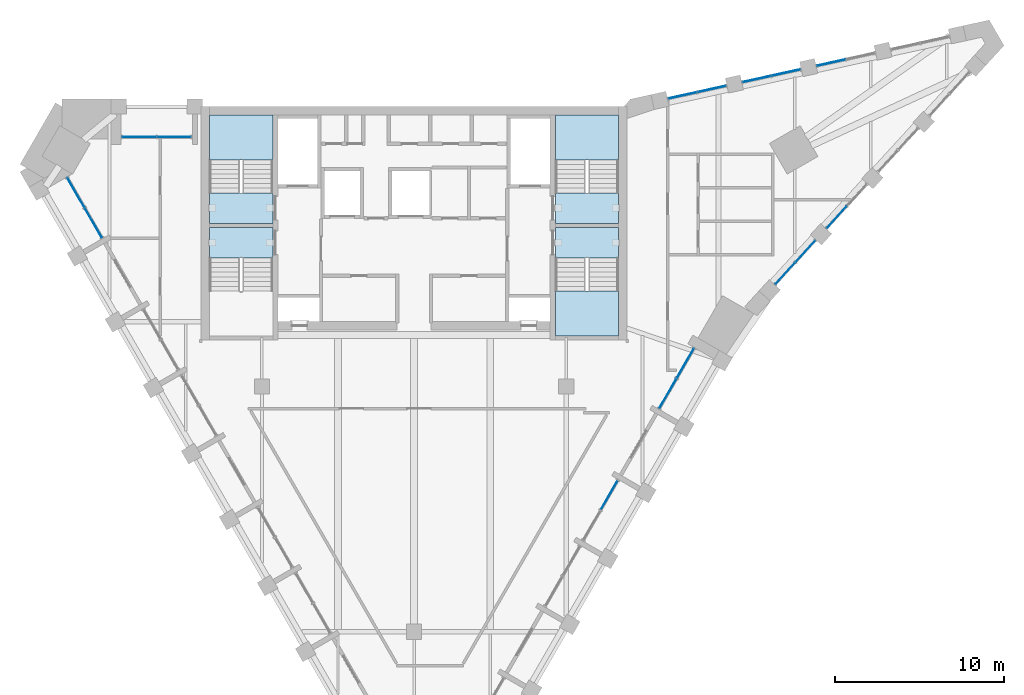
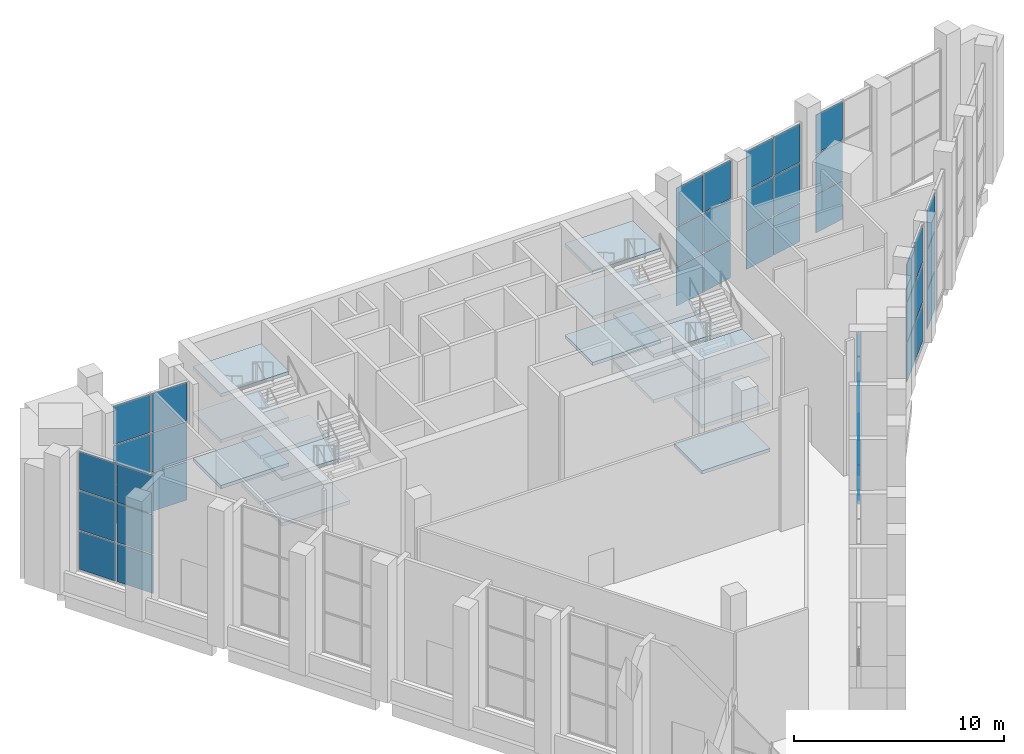
# One storey, part 9 of 16: 43 plates, 17 slabs, 13 elements without a shape of their own.
"""IFC4 building model written with IfcOpenShell, lengths in metres."""

from ifc_helpers import new_model, si_unit, direction, frame, origin, origin_2d, place, context, subcontext, project, spatial, polyline, rectangle, outline, extrude, material, layer, layer_set, type_object, element, aggregate, save


model = new_model("IFC4")

# Units and contexts
model_context = context("Model", 3, precision=1e-05, world=origin(), true_north=direction((0.0, 1.0)))
body_context = subcontext(model_context, "Body", "Model", "MODEL_VIEW")
ifc_project = project(units=[si_unit("LENGTHUNIT", "METRE"), si_unit("AREAUNIT", "SQUARE_METRE"), si_unit("VOLUMEUNIT", "CUBIC_METRE"), si_unit("PLANEANGLEUNIT", "RADIAN"), si_unit("MASSUNIT", "GRAM", prefix="KILO")], contexts=[model_context])

# Site, building, storey
site_placement = place(None, origin())
site = spatial("IfcSite", under=ifc_project, at=site_placement, CompositionType="ELEMENT")
building_placement = place(site_placement, origin())
building = spatial("IfcBuilding", under=site, at=building_placement, Name="Calabash Gate Tower", CompositionType="ELEMENT")
storey_placement = place(building_placement, frame((0.0, 0.0, 302.5)))
storey = spatial("IfcBuildingStorey", under=building, at=storey_placement, Name="L72", CompositionType="ELEMENT", Elevation=302.5)

# Curtain wall, plates
ifc_material_1 = material(Name="Anodised aluminium frame, bronze finish, clear laminated impact-rated glazing", Category="aluminium")
curtain_wall_type_1 = type_object("IfcCurtainWallType", Name="Curtain wall CWO observation deck wall", PredefinedType="NOTDEFINED", material=ifc_material_1)
curtain_wall_1_placement = place(storey_placement, origin())
curtain_wall_1 = element("IfcCurtainWall", 1, at=curtain_wall_1_placement, inside=storey, type_object=curtain_wall_type_1, Name="Curtain wall CWO L72 SW0.1", PredefinedType="NOTDEFINED")
ifc_material_2 = material(Name="Clear laminated impact-rated glazing", Category="glass")
ifc_layer_1 = layer(ifc_material_2, 0.0439453125)
ifc_layer_set_1 = layer_set([ifc_layer_1], Name="Glass panel CWO 44")
plate_type_1 = type_object("IfcPlateType", Name="Glass panel CWO 44", PredefinedType="CURTAIN_PANEL", material=ifc_layer_set_1)
plate_1_placement = place(storey_placement, frame((-19.99365234375, 13.964599609375, 0.07470703125), z_axis=(0.0, 0.0, 1.0), x_axis=(0.499999968652, -0.866025421884, 0.0)))
plate_1 = element("IfcPlate", 2, at=plate_1_placement, type_object=plate_type_1, Name="CWO panel 1.1", PredefinedType="CURTAIN_PANEL", context=body_context, shape_type="SweptSolid", body=[
    extrude(rectangle(XDim=1.987548828125, YDim=0.0439453125, at=origin_2d()), origin(), (0.0, 0.0, 1.0), 2.220947265625),
])
plate_2_placement = place(storey_placement, frame((-19.99365234375, 13.964599609375, 2.370849609375), z_axis=(0.0, 0.0, 1.0), x_axis=(0.499999968652, -0.866025421884, 0.0)))
plate_2 = element("IfcPlate", 3, at=plate_2_placement, type_object=plate_type_1, Name="CWO panel 1.2", PredefinedType="CURTAIN_PANEL", context=body_context, shape_type="SweptSolid", body=[
    extrude(rectangle(XDim=1.987548828125, YDim=0.0439453125, at=origin_2d()), origin(), (0.0, 0.0, 1.0), 2.25830078125),
])
plate_3_placement = place(storey_placement, frame((-19.99365234375, 13.964599609375, 4.7041015625), z_axis=(0.0, 0.0, 1.0), x_axis=(0.499999968652, -0.866025421884, 0.0)))
plate_3 = element("IfcPlate", 4, at=plate_3_placement, type_object=plate_type_1, Name="CWO panel 1.3", PredefinedType="CURTAIN_PANEL", context=body_context, shape_type="SweptSolid", body=[
    extrude(rectangle(XDim=1.987548828125, YDim=0.0439453125, at=origin_2d()), origin(), (0.0, 0.0, 1.0), 2.220947265625),
])
plate_4_placement = place(storey_placement, frame((-18.96240234375, 12.178466796875, 0.07470703125), z_axis=(0.0, 0.0, 1.0), x_axis=(0.499999968652, -0.866025421884, 0.0)))
plate_4 = element("IfcPlate", 5, at=plate_4_placement, type_object=plate_type_1, Name="CWO panel 2.1", PredefinedType="CURTAIN_PANEL", context=body_context, shape_type="SweptSolid", body=[
    extrude(rectangle(XDim=1.987548828125, YDim=0.0439453125, at=origin_2d()), origin(), (0.0, 0.0, 1.0), 2.220947265625),
])
plate_5_placement = place(storey_placement, frame((-18.96240234375, 12.178466796875, 2.370849609375), z_axis=(0.0, 0.0, 1.0), x_axis=(0.499999968652, -0.866025421884, 0.0)))
plate_5 = element("IfcPlate", 6, at=plate_5_placement, type_object=plate_type_1, Name="CWO panel 2.2", PredefinedType="CURTAIN_PANEL", context=body_context, shape_type="SweptSolid", body=[
    extrude(rectangle(XDim=1.987548828125, YDim=0.0439453125, at=origin_2d()), origin(), (0.0, 0.0, 1.0), 2.25830078125),
])
plate_6_placement = place(storey_placement, frame((-18.96240234375, 12.178466796875, 4.7041015625), z_axis=(0.0, 0.0, 1.0), x_axis=(0.499999968652, -0.866025421884, 0.0)))
plate_6 = element("IfcPlate", 7, at=plate_6_placement, type_object=plate_type_1, Name="CWO panel 2.3", PredefinedType="CURTAIN_PANEL", context=body_context, shape_type="SweptSolid", body=[
    extrude(rectangle(XDim=1.987548828125, YDim=0.0439453125, at=origin_2d()), origin(), (0.0, 0.0, 1.0), 2.220947265625),
])
aggregate(curtain_wall_1, [plate_1, plate_2, plate_3, plate_4, plate_5, plate_6])

# Curtain wall, plate
curtain_wall_2_placement = place(storey_placement, origin())
curtain_wall_2 = element("IfcCurtainWall", 8, at=curtain_wall_2_placement, inside=storey, type_object=curtain_wall_type_1, Name="Curtain wall CWO L72 SE2.4", PredefinedType="NOTDEFINED")
plate_7_placement = place(storey_placement, frame((11.539794921875, -3.920166015625, 4.7041015625), z_axis=(0.0, 0.0, 1.0), x_axis=(0.500000071751, 0.866025362359, 0.0)))
plate_7 = element("IfcPlate", 9, at=plate_7_placement, type_object=plate_type_1, Name="CWO panel 2.3", PredefinedType="CURTAIN_PANEL", context=body_context, shape_type="SweptSolid", body=[
    extrude(rectangle(XDim=1.987548828125, YDim=0.0439453125, at=origin_2d()), origin(), (0.0, 0.0, 1.0), 2.220947265625),
])
aggregate(curtain_wall_2, [plate_7])

# Curtain wall, plates
curtain_wall_3_placement = place(storey_placement, origin())
curtain_wall_3 = element("IfcCurtainWall", 10, at=curtain_wall_3_placement, inside=storey, type_object=curtain_wall_type_1, Name="Curtain wall CWO L72 SE2.6", PredefinedType="NOTDEFINED")
plate_8_placement = place(storey_placement, frame((15.008544921875, 2.087890625, 0.07470703125), z_axis=(0.0, 0.0, 1.0), x_axis=(0.499999968652, 0.866025421884, 0.0)))
plate_8 = element("IfcPlate", 11, at=plate_8_placement, type_object=plate_type_1, Name="CWO panel 1.1", PredefinedType="CURTAIN_PANEL", context=body_context, shape_type="SweptSolid", body=[
    extrude(rectangle(XDim=1.987548828125, YDim=0.0439453125, at=origin_2d()), origin(), (0.0, 0.0, 1.0), 2.220947265625),
])
plate_9_placement = place(storey_placement, frame((15.008544921875, 2.087890625, 2.370849609375), z_axis=(0.0, 0.0, 1.0), x_axis=(0.499999968652, 0.866025421884, 0.0)))
plate_9 = element("IfcPlate", 12, at=plate_9_placement, type_object=plate_type_1, Name="CWO panel 1.2", PredefinedType="CURTAIN_PANEL", context=body_context, shape_type="SweptSolid", body=[
    extrude(rectangle(XDim=1.987548828125, YDim=0.0439453125, at=origin_2d()), origin(), (0.0, 0.0, 1.0), 2.25830078125),
])
plate_10_placement = place(storey_placement, frame((15.008544921875, 2.087890625, 4.7041015625), z_axis=(0.0, 0.0, 1.0), x_axis=(0.499999968652, 0.866025421884, 0.0)))
plate_10 = element("IfcPlate", 13, at=plate_10_placement, type_object=plate_type_1, Name="CWO panel 1.3", PredefinedType="CURTAIN_PANEL", context=body_context, shape_type="SweptSolid", body=[
    extrude(rectangle(XDim=1.987548828125, YDim=0.0439453125, at=origin_2d()), origin(), (0.0, 0.0, 1.0), 2.220947265625),
])
plate_11_placement = place(storey_placement, frame((16.039794921875, 3.8740234375, 0.07470703125), z_axis=(0.0, 0.0, 1.0), x_axis=(0.499999968652, 0.866025421884, 0.0)))
plate_11 = element("IfcPlate", 14, at=plate_11_placement, type_object=plate_type_1, Name="CWO panel 2.1", PredefinedType="CURTAIN_PANEL", context=body_context, shape_type="SweptSolid", body=[
    extrude(rectangle(XDim=1.987548828125, YDim=0.0439453125, at=origin_2d()), origin(), (0.0, 0.0, 1.0), 2.220947265625),
])
plate_12_placement = place(storey_placement, frame((16.039794921875, 3.8740234375, 2.370849609375), z_axis=(0.0, 0.0, 1.0), x_axis=(0.499999968652, 0.866025421884, 0.0)))
plate_12 = element("IfcPlate", 15, at=plate_12_placement, type_object=plate_type_1, Name="CWO panel 2.2", PredefinedType="CURTAIN_PANEL", context=body_context, shape_type="SweptSolid", body=[
    extrude(rectangle(XDim=1.987548828125, YDim=0.0439453125, at=origin_2d()), origin(), (0.0, 0.0, 1.0), 2.25830078125),
])
plate_13_placement = place(storey_placement, frame((16.039794921875, 3.8740234375, 4.7041015625), z_axis=(0.0, 0.0, 1.0), x_axis=(0.499999968652, 0.866025421884, 0.0)))
plate_13 = element("IfcPlate", 16, at=plate_13_placement, type_object=plate_type_1, Name="CWO panel 2.3", PredefinedType="CURTAIN_PANEL", context=body_context, shape_type="SweptSolid", body=[
    extrude(rectangle(XDim=1.987548828125, YDim=0.0439453125, at=origin_2d()), origin(), (0.0, 0.0, 1.0), 2.220947265625),
])
aggregate(curtain_wall_3, [plate_8, plate_9, plate_10, plate_11, plate_12, plate_13])

curtain_wall_4_placement = place(storey_placement, origin())
curtain_wall_4 = element("IfcCurtainWall", 17, at=curtain_wall_4_placement, inside=storey, type_object=curtain_wall_type_1, Name="Curtain wall CWO L72 N6.6", PredefinedType="NOTDEFINED")
plate_14_placement = place(storey_placement, frame((-14.184326171875, 17.25244140625, 0.07470703125), z_axis=(0.0, 0.0, 1.0), x_axis=(-1.0, 0.0, 0.0)))
plate_14 = element("IfcPlate", 18, at=plate_14_placement, type_object=plate_type_1, Name="CWO panel 1.1", PredefinedType="CURTAIN_PANEL", context=body_context, shape_type="SweptSolid", body=[
    extrude(rectangle(XDim=1.987548828125, YDim=0.0439453125, at=origin_2d()), origin(), (0.0, 0.0, 1.0), 2.220947265625),
])
plate_15_placement = place(storey_placement, frame((-14.184326171875, 17.25244140625, 2.370849609375), z_axis=(0.0, 0.0, 1.0), x_axis=(-1.0, 0.0, 0.0)))
plate_15 = element("IfcPlate", 19, at=plate_15_placement, type_object=plate_type_1, Name="CWO panel 1.2", PredefinedType="CURTAIN_PANEL", context=body_context, shape_type="SweptSolid", body=[
    extrude(rectangle(XDim=1.987548828125, YDim=0.0439453125, at=origin_2d()), origin(), (0.0, 0.0, 1.0), 2.25830078125),
])
plate_16_placement = place(storey_placement, frame((-14.184326171875, 17.25244140625, 4.7041015625), z_axis=(0.0, 0.0, 1.0), x_axis=(-1.0, 0.0, 0.0)))
plate_16 = element("IfcPlate", 20, at=plate_16_placement, type_object=plate_type_1, Name="CWO panel 1.3", PredefinedType="CURTAIN_PANEL", context=body_context, shape_type="SweptSolid", body=[
    extrude(rectangle(XDim=1.987548828125, YDim=0.0439453125, at=origin_2d()), origin(), (0.0, 0.0, 1.0), 2.220947265625),
])
plate_17_placement = place(storey_placement, frame((-16.246826171875, 17.25244140625, 0.07470703125), z_axis=(0.0, 0.0, 1.0), x_axis=(-1.0, 0.0, 0.0)))
plate_17 = element("IfcPlate", 21, at=plate_17_placement, type_object=plate_type_1, Name="CWO panel 2.1", PredefinedType="CURTAIN_PANEL", context=body_context, shape_type="SweptSolid", body=[
    extrude(rectangle(XDim=1.987548828125, YDim=0.0439453125, at=origin_2d()), origin(), (0.0, 0.0, 1.0), 2.220947265625),
])
plate_18_placement = place(storey_placement, frame((-16.246826171875, 17.25244140625, 2.370849609375), z_axis=(0.0, 0.0, 1.0), x_axis=(-1.0, 0.0, 0.0)))
plate_18 = element("IfcPlate", 22, at=plate_18_placement, type_object=plate_type_1, Name="CWO panel 2.2", PredefinedType="CURTAIN_PANEL", context=body_context, shape_type="SweptSolid", body=[
    extrude(rectangle(XDim=1.987548828125, YDim=0.0439453125, at=origin_2d()), origin(), (0.0, 0.0, 1.0), 2.25830078125),
])
plate_19_placement = place(storey_placement, frame((-16.246826171875, 17.25244140625, 4.7041015625), z_axis=(0.0, 0.0, 1.0), x_axis=(-1.0, 0.0, 0.0)))
plate_19 = element("IfcPlate", 23, at=plate_19_placement, type_object=plate_type_1, Name="CWO panel 2.3", PredefinedType="CURTAIN_PANEL", context=body_context, shape_type="SweptSolid", body=[
    extrude(rectangle(XDim=1.987548828125, YDim=0.0439453125, at=origin_2d()), origin(), (0.0, 0.0, 1.0), 2.220947265625),
])
aggregate(curtain_wall_4, [plate_14, plate_15, plate_16, plate_17, plate_18, plate_19])

ifc_material_3 = material(Name="Anodised aluminium frame, bronze finish, clear laminated impact-rated glazing", Category="aluminium")
curtain_wall_type_2 = type_object("IfcCurtainWallType", Name="Curtain wall CWW wedge prow wall", PredefinedType="NOTDEFINED", material=ifc_material_3)
curtain_wall_5_placement = place(storey_placement, origin())
curtain_wall_5 = element("IfcCurtainWall", 24, at=curtain_wall_5_placement, inside=storey, type_object=curtain_wall_type_2, Name="Curtain wall CWW L72 wedge3.1", PredefinedType="NOTDEFINED")
ifc_material_4 = material(Name="Clear laminated impact-rated glazing", Category="glass")
ifc_layer_2 = layer(ifc_material_4, 0.0400390625)
ifc_layer_set_2 = layer_set([ifc_layer_2], Name="Glass panel CWW 40")
plate_type_2 = type_object("IfcPlateType", Name="Glass panel CWW 40", PredefinedType="CURTAIN_PANEL", material=ifc_layer_set_2)
plate_20_placement = place(storey_placement, frame((21.953369140625, 9.19384765625, 0.06982421875), z_axis=(0.0, 0.0, 1.0), x_axis=(0.674855908125, 0.737949526234, 0.0)))
plate_20 = element("IfcPlate", 25, at=plate_20_placement, type_object=plate_type_2, Name="CWW panel 1.1", PredefinedType="CURTAIN_PANEL", context=body_context, shape_type="SweptSolid", body=[
    extrude(rectangle(XDim=1.695068359375, YDim=0.0400390625, at=origin_2d()), origin(), (0.0, 0.0, 1.0), 2.228271484375),
])
plate_21_placement = place(storey_placement, frame((21.953369140625, 9.19384765625, 2.3681640625), z_axis=(0.0, 0.0, 1.0), x_axis=(0.674855908125, 0.737949526234, 0.0)))
plate_21 = element("IfcPlate", 26, at=plate_21_placement, type_object=plate_type_2, Name="CWW panel 1.2", PredefinedType="CURTAIN_PANEL", context=body_context, shape_type="SweptSolid", body=[
    extrude(rectangle(XDim=1.695068359375, YDim=0.0400390625, at=origin_2d()), origin(), (0.0, 0.0, 1.0), 2.263427734375),
])
plate_22_placement = place(storey_placement, frame((21.953369140625, 9.19384765625, 4.70166015625), z_axis=(0.0, 0.0, 1.0), x_axis=(0.674855908125, 0.737949526234, 0.0)))
plate_22 = element("IfcPlate", 27, at=plate_22_placement, type_object=plate_type_2, Name="CWW panel 1.3", PredefinedType="CURTAIN_PANEL", context=body_context, shape_type="SweptSolid", body=[
    extrude(rectangle(XDim=1.695068359375, YDim=0.0400390625, at=origin_2d()), origin(), (0.0, 0.0, 1.0), 2.228271484375),
])
plate_23_placement = place(storey_placement, frame((23.14453125, 10.496337890625, 0.06982421875), z_axis=(0.0, 0.0, 1.0), x_axis=(0.674855908125, 0.737949526234, 0.0)))
plate_23 = element("IfcPlate", 28, at=plate_23_placement, type_object=plate_type_2, Name="CWW panel 2.1", PredefinedType="CURTAIN_PANEL", context=body_context, shape_type="SweptSolid", body=[
    extrude(rectangle(XDim=1.695068359375, YDim=0.0400390625, at=origin_2d()), origin(), (0.0, 0.0, 1.0), 2.228271484375),
])
plate_24_placement = place(storey_placement, frame((23.14453125, 10.496337890625, 2.3681640625), z_axis=(0.0, 0.0, 1.0), x_axis=(0.674855908125, 0.737949526234, 0.0)))
plate_24 = element("IfcPlate", 29, at=plate_24_placement, type_object=plate_type_2, Name="CWW panel 2.2", PredefinedType="CURTAIN_PANEL", context=body_context, shape_type="SweptSolid", body=[
    extrude(rectangle(XDim=1.695068359375, YDim=0.0400390625, at=origin_2d()), origin(), (0.0, 0.0, 1.0), 2.263427734375),
])
plate_25_placement = place(storey_placement, frame((23.14453125, 10.496337890625, 4.70166015625), z_axis=(0.0, 0.0, 1.0), x_axis=(0.674855908125, 0.737949526234, 0.0)))
plate_25 = element("IfcPlate", 30, at=plate_25_placement, type_object=plate_type_2, Name="CWW panel 2.3", PredefinedType="CURTAIN_PANEL", context=body_context, shape_type="SweptSolid", body=[
    extrude(rectangle(XDim=1.695068359375, YDim=0.0400390625, at=origin_2d()), origin(), (0.0, 0.0, 1.0), 2.228271484375),
])
aggregate(curtain_wall_5, [plate_20, plate_21, plate_22, plate_23, plate_24, plate_25])

curtain_wall_6_placement = place(storey_placement, origin())
curtain_wall_6 = element("IfcCurtainWall", 31, at=curtain_wall_6_placement, inside=storey, type_object=curtain_wall_type_2, Name="Curtain wall CWW L72 wedge3.2", PredefinedType="NOTDEFINED")
plate_26_placement = place(storey_placement, frame((24.990234375, 12.5146484375, 0.06982421875), z_axis=(0.0, 0.0, 1.0), x_axis=(0.674856059397, 0.737949387896, 0.0)))
plate_26 = element("IfcPlate", 32, at=plate_26_placement, type_object=plate_type_2, Name="CWW panel 1.1", PredefinedType="CURTAIN_PANEL", context=body_context, shape_type="SweptSolid", body=[
    extrude(rectangle(XDim=1.695068359375, YDim=0.0400390625, at=origin_2d()), origin(), (0.0, 0.0, 1.0), 2.228271484375),
])
plate_27_placement = place(storey_placement, frame((24.990234375, 12.5146484375, 2.3681640625), z_axis=(0.0, 0.0, 1.0), x_axis=(0.674856059397, 0.737949387896, 0.0)))
plate_27 = element("IfcPlate", 33, at=plate_27_placement, type_object=plate_type_2, Name="CWW panel 1.2", PredefinedType="CURTAIN_PANEL", context=body_context, shape_type="SweptSolid", body=[
    extrude(rectangle(XDim=1.695068359375, YDim=0.0400390625, at=origin_2d()), origin(), (0.0, 0.0, 1.0), 2.263427734375),
])
plate_28_placement = place(storey_placement, frame((24.990234375, 12.5146484375, 4.70166015625), z_axis=(0.0, 0.0, 1.0), x_axis=(0.674856059397, 0.737949387896, 0.0)))
plate_28 = element("IfcPlate", 34, at=plate_28_placement, type_object=plate_type_2, Name="CWW panel 1.3", PredefinedType="CURTAIN_PANEL", context=body_context, shape_type="SweptSolid", body=[
    extrude(rectangle(XDim=1.695068359375, YDim=0.0400390625, at=origin_2d()), origin(), (0.0, 0.0, 1.0), 2.228271484375),
])
aggregate(curtain_wall_6, [plate_26, plate_27, plate_28])

curtain_wall_7_placement = place(storey_placement, origin())
curtain_wall_7 = element("IfcCurtainWall", 35, at=curtain_wall_7_placement, inside=storey, type_object=curtain_wall_type_2, Name="Curtain wall CWW L72 wedge5.2", PredefinedType="NOTDEFINED")
plate_29_placement = place(storey_placement, frame((24.668212890625, 21.6533203125, 0.06982421875), z_axis=(0.0, 0.0, 1.0), x_axis=(-0.976510958101, -0.215467744008, 0.0)))
plate_29 = element("IfcPlate", 36, at=plate_29_placement, type_object=plate_type_2, Name="CWW panel 2.1", PredefinedType="CURTAIN_PANEL", context=body_context, shape_type="SweptSolid", body=[
    extrude(rectangle(XDim=1.695068359375, YDim=0.0400390625, at=origin_2d()), origin(), (0.0, 0.0, 1.0), 2.228271484375),
])
plate_30_placement = place(storey_placement, frame((24.668212890625, 21.6533203125, 2.3681640625), z_axis=(0.0, 0.0, 1.0), x_axis=(-0.976510958101, -0.215467744008, 0.0)))
plate_30 = element("IfcPlate", 37, at=plate_30_placement, type_object=plate_type_2, Name="CWW panel 2.2", PredefinedType="CURTAIN_PANEL", context=body_context, shape_type="SweptSolid", body=[
    extrude(rectangle(XDim=1.695068359375, YDim=0.0400390625, at=origin_2d()), origin(), (0.0, 0.0, 1.0), 2.263427734375),
])
plate_31_placement = place(storey_placement, frame((24.668212890625, 21.6533203125, 4.70166015625), z_axis=(0.0, 0.0, 1.0), x_axis=(-0.976510958101, -0.215467744008, 0.0)))
plate_31 = element("IfcPlate", 38, at=plate_31_placement, type_object=plate_type_2, Name="CWW panel 2.3", PredefinedType="CURTAIN_PANEL", context=body_context, shape_type="SweptSolid", body=[
    extrude(rectangle(XDim=1.695068359375, YDim=0.0400390625, at=origin_2d()), origin(), (0.0, 0.0, 1.0), 2.228271484375),
])
aggregate(curtain_wall_7, [plate_29, plate_30, plate_31])

curtain_wall_8_placement = place(storey_placement, origin())
curtain_wall_8 = element("IfcCurtainWall", 39, at=curtain_wall_8_placement, inside=storey, type_object=curtain_wall_type_2, Name="Curtain wall CWW L72 wedge5.3", PredefinedType="NOTDEFINED")
plate_32_placement = place(storey_placement, frame((21.997314453125, 21.06396484375, 0.06982421875), z_axis=(0.0, 0.0, 1.0), x_axis=(-0.976510945203, -0.215467802466, 0.0)))
plate_32 = element("IfcPlate", 40, at=plate_32_placement, type_object=plate_type_2, Name="CWW panel 1.1", PredefinedType="CURTAIN_PANEL", context=body_context, shape_type="SweptSolid", body=[
    extrude(rectangle(XDim=1.695068359375, YDim=0.0400390625, at=origin_2d()), origin(), (0.0, 0.0, 1.0), 2.228271484375),
])
plate_33_placement = place(storey_placement, frame((21.997314453125, 21.06396484375, 2.3681640625), z_axis=(0.0, 0.0, 1.0), x_axis=(-0.976510945203, -0.215467802466, 0.0)))
plate_33 = element("IfcPlate", 41, at=plate_33_placement, type_object=plate_type_2, Name="CWW panel 1.2", PredefinedType="CURTAIN_PANEL", context=body_context, shape_type="SweptSolid", body=[
    extrude(rectangle(XDim=1.695068359375, YDim=0.0400390625, at=origin_2d()), origin(), (0.0, 0.0, 1.0), 2.263427734375),
])
plate_34_placement = place(storey_placement, frame((21.997314453125, 21.06396484375, 4.70166015625), z_axis=(0.0, 0.0, 1.0), x_axis=(-0.976510945203, -0.215467802466, 0.0)))
plate_34 = element("IfcPlate", 42, at=plate_34_placement, type_object=plate_type_2, Name="CWW panel 1.3", PredefinedType="CURTAIN_PANEL", context=body_context, shape_type="SweptSolid", body=[
    extrude(rectangle(XDim=1.695068359375, YDim=0.0400390625, at=origin_2d()), origin(), (0.0, 0.0, 1.0), 2.228271484375),
])
plate_35_placement = place(storey_placement, frame((20.27392578125, 20.68359375, 0.06982421875), z_axis=(0.0, 0.0, 1.0), x_axis=(-0.976510945203, -0.215467802466, 0.0)))
plate_35 = element("IfcPlate", 43, at=plate_35_placement, type_object=plate_type_2, Name="CWW panel 2.1", PredefinedType="CURTAIN_PANEL", context=body_context, shape_type="SweptSolid", body=[
    extrude(rectangle(XDim=1.695068359375, YDim=0.0400390625, at=origin_2d()), origin(), (0.0, 0.0, 1.0), 2.228271484375),
])
plate_36_placement = place(storey_placement, frame((20.27392578125, 20.68359375, 2.3681640625), z_axis=(0.0, 0.0, 1.0), x_axis=(-0.976510945203, -0.215467802466, 0.0)))
plate_36 = element("IfcPlate", 44, at=plate_36_placement, type_object=plate_type_2, Name="CWW panel 2.2", PredefinedType="CURTAIN_PANEL", context=body_context, shape_type="SweptSolid", body=[
    extrude(rectangle(XDim=1.695068359375, YDim=0.0400390625, at=origin_2d()), origin(), (0.0, 0.0, 1.0), 2.263427734375),
])
plate_37_placement = place(storey_placement, frame((20.27392578125, 20.68359375, 4.70166015625), z_axis=(0.0, 0.0, 1.0), x_axis=(-0.976510945203, -0.215467802466, 0.0)))
plate_37 = element("IfcPlate", 45, at=plate_37_placement, type_object=plate_type_2, Name="CWW panel 2.3", PredefinedType="CURTAIN_PANEL", context=body_context, shape_type="SweptSolid", body=[
    extrude(rectangle(XDim=1.695068359375, YDim=0.0400390625, at=origin_2d()), origin(), (0.0, 0.0, 1.0), 2.228271484375),
])
aggregate(curtain_wall_8, [plate_32, plate_33, plate_34, plate_35, plate_36, plate_37])

curtain_wall_9_placement = place(storey_placement, origin())
curtain_wall_9 = element("IfcCurtainWall", 46, at=curtain_wall_9_placement, inside=storey, type_object=curtain_wall_type_2, Name="Curtain wall CWW L72 wedge5.4", PredefinedType="NOTDEFINED")
plate_38_placement = place(storey_placement, frame((17.60302734375, 20.094482421875, 0.06982421875), z_axis=(0.0, 0.0, 1.0), x_axis=(-0.976510945203, -0.215467802466, 0.0)))
plate_38 = element("IfcPlate", 47, at=plate_38_placement, type_object=plate_type_2, Name="CWW panel 1.1", PredefinedType="CURTAIN_PANEL", context=body_context, shape_type="SweptSolid", body=[
    extrude(rectangle(XDim=1.695068359375, YDim=0.0400390625, at=origin_2d()), origin(), (0.0, 0.0, 1.0), 2.228271484375),
])
plate_39_placement = place(storey_placement, frame((17.60302734375, 20.094482421875, 2.3681640625), z_axis=(0.0, 0.0, 1.0), x_axis=(-0.976510945203, -0.215467802466, 0.0)))
plate_39 = element("IfcPlate", 48, at=plate_39_placement, type_object=plate_type_2, Name="CWW panel 1.2", PredefinedType="CURTAIN_PANEL", context=body_context, shape_type="SweptSolid", body=[
    extrude(rectangle(XDim=1.695068359375, YDim=0.0400390625, at=origin_2d()), origin(), (0.0, 0.0, 1.0), 2.263427734375),
])
plate_40_placement = place(storey_placement, frame((17.60302734375, 20.094482421875, 4.70166015625), z_axis=(0.0, 0.0, 1.0), x_axis=(-0.976510945203, -0.215467802466, 0.0)))
plate_40 = element("IfcPlate", 49, at=plate_40_placement, type_object=plate_type_2, Name="CWW panel 1.3", PredefinedType="CURTAIN_PANEL", context=body_context, shape_type="SweptSolid", body=[
    extrude(rectangle(XDim=1.695068359375, YDim=0.0400390625, at=origin_2d()), origin(), (0.0, 0.0, 1.0), 2.228271484375),
])
plate_41_placement = place(storey_placement, frame((15.87939453125, 19.714111328125, 0.06982421875), z_axis=(0.0, 0.0, 1.0), x_axis=(-0.976510945203, -0.215467802466, 0.0)))
plate_41 = element("IfcPlate", 50, at=plate_41_placement, type_object=plate_type_2, Name="CWW panel 2.1", PredefinedType="CURTAIN_PANEL", context=body_context, shape_type="SweptSolid", body=[
    extrude(rectangle(XDim=1.695068359375, YDim=0.0400390625, at=origin_2d()), origin(), (0.0, 0.0, 1.0), 2.228271484375),
])
plate_42_placement = place(storey_placement, frame((15.87939453125, 19.714111328125, 2.3681640625), z_axis=(0.0, 0.0, 1.0), x_axis=(-0.976510945203, -0.215467802466, 0.0)))
plate_42 = element("IfcPlate", 51, at=plate_42_placement, type_object=plate_type_2, Name="CWW panel 2.2", PredefinedType="CURTAIN_PANEL", context=body_context, shape_type="SweptSolid", body=[
    extrude(rectangle(XDim=1.695068359375, YDim=0.0400390625, at=origin_2d()), origin(), (0.0, 0.0, 1.0), 2.263427734375),
])
plate_43_placement = place(storey_placement, frame((15.87939453125, 19.714111328125, 4.70166015625), z_axis=(0.0, 0.0, 1.0), x_axis=(-0.976510945203, -0.215467802466, 0.0)))
plate_43 = element("IfcPlate", 52, at=plate_43_placement, type_object=plate_type_2, Name="CWW panel 2.3", PredefinedType="CURTAIN_PANEL", context=body_context, shape_type="SweptSolid", body=[
    extrude(rectangle(XDim=1.695068359375, YDim=0.0400390625, at=origin_2d()), origin(), (0.0, 0.0, 1.0), 2.228271484375),
])
aggregate(curtain_wall_9, [plate_38, plate_39, plate_40, plate_41, plate_42, plate_43])

# Stair, slabs
ifc_material_5 = material(Name="Concrete C40/50", Category="concrete")
stair_type = type_object("IfcStairType", Name="Exit stair 48 risers of 166.7 mm", PredefinedType="HALF_TURN_STAIR", material=ifc_material_5)
stair_1_placement = place(storey_placement, origin())
stair_1 = element("IfcStair", 53, at=stair_1_placement, inside=storey, type_object=stair_type, Name="L72 Exit stair ST1", PredefinedType="HALF_TURN_STAIR")
ifc_material_6 = material(Name="Concrete C40/50", Category="concrete")
ifc_layer_3 = layer(ifc_material_6, 0.199951171875)
ifc_layer_set_3 = layer_set([ifc_layer_3], Name="Stair landing SL200")
slab_type = type_object("IfcSlabType", Name="Stair landing SL200", PredefinedType="LANDING", material=ifc_layer_set_3)
slab_1_placement = place(storey_placement, frame((0.0, 0.0, 1.13330078125)))
slab_1 = element("IfcSlab", 54, at=slab_1_placement, type_object=slab_type, Name="ST1 landing 1", PredefinedType="LANDING", context=body_context, shape_type="SweptSolid", body=[
    extrude(outline(polyline([(-8.35009765625, 15.905517578125), (-8.35009765625, 18.552490234375), (-12.10009765625, 18.552490234375), (-12.10009765625, 15.905517578125), (-8.35009765625, 15.905517578125)])), origin(), (0.0, 0.0, 1.0), 0.199951171875),
])
slab_2_placement = place(storey_placement, frame((0.0, 0.0, 2.466552734375)))
slab_2 = element("IfcSlab", 55, at=slab_2_placement, type_object=slab_type, Name="ST1 landing 2", PredefinedType="LANDING", context=body_context, shape_type="SweptSolid", body=[
    extrude(outline(polyline([(-8.35009765625, 12.152587890625), (-8.35009765625, 13.95263671875), (-12.10009765625, 13.95263671875), (-12.10009765625, 12.152587890625), (-8.35009765625, 12.152587890625)])), origin(), (0.0, 0.0, 1.0), 0.2001953125),
])
slab_3_placement = place(storey_placement, frame((0.0, 0.0, 3.800048828125)))
slab_3 = element("IfcSlab", 56, at=slab_3_placement, type_object=slab_type, Name="ST1 landing 3", PredefinedType="LANDING", context=body_context, shape_type="SweptSolid", body=[
    extrude(outline(polyline([(-8.35009765625, 15.905517578125), (-8.35009765625, 18.552490234375), (-12.10009765625, 18.552490234375), (-12.10009765625, 15.905517578125), (-8.35009765625, 15.905517578125)])), origin(), (0.0, 0.0, 1.0), 0.199951171875),
])
slab_4_placement = place(storey_placement, frame((0.0, 0.0, 5.13330078125)))
slab_4 = element("IfcSlab", 57, at=slab_4_placement, type_object=slab_type, Name="ST1 landing 4", PredefinedType="LANDING", context=body_context, shape_type="SweptSolid", body=[
    extrude(outline(polyline([(-8.35009765625, 12.152587890625), (-8.35009765625, 13.95263671875), (-12.10009765625, 13.95263671875), (-12.10009765625, 12.152587890625), (-8.35009765625, 12.152587890625)])), origin(), (0.0, 0.0, 1.0), 0.199951171875),
])
slab_5_placement = place(storey_placement, frame((0.0, 0.0, 6.466552734375)))
slab_5 = element("IfcSlab", 58, at=slab_5_placement, type_object=slab_type, Name="ST1 landing 5", PredefinedType="LANDING", context=body_context, shape_type="SweptSolid", body=[
    extrude(outline(polyline([(-8.35009765625, 15.905517578125), (-8.35009765625, 18.552490234375), (-12.10009765625, 18.552490234375), (-12.10009765625, 15.905517578125), (-8.35009765625, 15.905517578125)])), origin(), (0.0, 0.0, 1.0), 0.2001953125),
])
aggregate(stair_1, [slab_1, slab_2, slab_3, slab_4, slab_5])

stair_2_placement = place(storey_placement, origin())
stair_2 = element("IfcStair", 59, at=stair_2_placement, inside=storey, type_object=stair_type, Name="L72 Exit stair ST2", PredefinedType="HALF_TURN_STAIR")
slab_6_placement = place(storey_placement, frame((0.0, 0.0, 2.466552734375)))
slab_6 = element("IfcSlab", 60, at=slab_6_placement, type_object=slab_type, Name="ST2 landing 2", PredefinedType="LANDING", context=body_context, shape_type="SweptSolid", body=[
    extrude(outline(polyline([(-12.10009765625, 11.902587890625), (-12.10009765625, 10.1025390625), (-8.35009765625, 10.1025390625), (-8.35009765625, 11.902587890625), (-12.10009765625, 11.902587890625)])), origin(), (0.0, 0.0, 1.0), 0.2001953125),
])
slab_7_placement = place(storey_placement, frame((0.0, 0.0, 5.13330078125)))
slab_7 = element("IfcSlab", 61, at=slab_7_placement, type_object=slab_type, Name="ST2 landing 4", PredefinedType="LANDING", context=body_context, shape_type="SweptSolid", body=[
    extrude(outline(polyline([(-12.10009765625, 11.902587890625), (-12.10009765625, 10.1025390625), (-8.35009765625, 10.1025390625), (-8.35009765625, 11.902587890625), (-12.10009765625, 11.902587890625)])), origin(), (0.0, 0.0, 1.0), 0.199951171875),
])
aggregate(stair_2, [slab_6, slab_7])

stair_3_placement = place(storey_placement, origin())
stair_3 = element("IfcStair", 62, at=stair_3_placement, inside=storey, type_object=stair_type, Name="L72 Exit stair ST3", PredefinedType="HALF_TURN_STAIR")
slab_8_placement = place(storey_placement, frame((0.0, 0.0, 1.13330078125)))
slab_8 = element("IfcSlab", 63, at=slab_8_placement, type_object=slab_type, Name="ST3 landing 1", PredefinedType="LANDING", context=body_context, shape_type="SweptSolid", body=[
    extrude(outline(polyline([(12.10009765625, 15.905517578125), (12.10009765625, 18.552490234375), (8.35009765625, 18.552490234375), (8.35009765625, 15.905517578125), (12.10009765625, 15.905517578125)])), origin(), (0.0, 0.0, 1.0), 0.199951171875),
])
slab_9_placement = place(storey_placement, frame((0.0, 0.0, 2.466552734375)))
slab_9 = element("IfcSlab", 64, at=slab_9_placement, type_object=slab_type, Name="ST3 landing 2", PredefinedType="LANDING", context=body_context, shape_type="SweptSolid", body=[
    extrude(outline(polyline([(12.10009765625, 12.152587890625), (12.10009765625, 13.95263671875), (8.35009765625, 13.95263671875), (8.35009765625, 12.152587890625), (12.10009765625, 12.152587890625)])), origin(), (0.0, 0.0, 1.0), 0.2001953125),
])
slab_10_placement = place(storey_placement, frame((0.0, 0.0, 3.800048828125)))
slab_10 = element("IfcSlab", 65, at=slab_10_placement, type_object=slab_type, Name="ST3 landing 3", PredefinedType="LANDING", context=body_context, shape_type="SweptSolid", body=[
    extrude(outline(polyline([(12.10009765625, 15.905517578125), (12.10009765625, 18.552490234375), (8.35009765625, 18.552490234375), (8.35009765625, 15.905517578125), (12.10009765625, 15.905517578125)])), origin(), (0.0, 0.0, 1.0), 0.199951171875),
])
slab_11_placement = place(storey_placement, frame((0.0, 0.0, 5.13330078125)))
slab_11 = element("IfcSlab", 66, at=slab_11_placement, type_object=slab_type, Name="ST3 landing 4", PredefinedType="LANDING", context=body_context, shape_type="SweptSolid", body=[
    extrude(outline(polyline([(12.10009765625, 12.152587890625), (12.10009765625, 13.95263671875), (8.35009765625, 13.95263671875), (8.35009765625, 12.152587890625), (12.10009765625, 12.152587890625)])), origin(), (0.0, 0.0, 1.0), 0.199951171875),
])
slab_12_placement = place(storey_placement, frame((0.0, 0.0, 6.466552734375)))
slab_12 = element("IfcSlab", 67, at=slab_12_placement, type_object=slab_type, Name="ST3 landing 5", PredefinedType="LANDING", context=body_context, shape_type="SweptSolid", body=[
    extrude(outline(polyline([(12.10009765625, 15.905517578125), (12.10009765625, 18.552490234375), (8.35009765625, 18.552490234375), (8.35009765625, 15.905517578125), (12.10009765625, 15.905517578125)])), origin(), (0.0, 0.0, 1.0), 0.2001953125),
])
aggregate(stair_3, [slab_8, slab_9, slab_10, slab_11, slab_12])

stair_4_placement = place(storey_placement, origin())
stair_4 = element("IfcStair", 68, at=stair_4_placement, inside=storey, type_object=stair_type, Name="L72 Exit stair ST4", PredefinedType="HALF_TURN_STAIR")
slab_13_placement = place(storey_placement, frame((0.0, 0.0, 1.13330078125)))
slab_13 = element("IfcSlab", 69, at=slab_13_placement, type_object=slab_type, Name="ST4 landing 1", PredefinedType="LANDING", context=body_context, shape_type="SweptSolid", body=[
    extrude(outline(polyline([(8.35009765625, 8.149658203125), (8.35009765625, 5.502685546875), (12.10009765625, 5.502685546875), (12.10009765625, 8.149658203125), (8.35009765625, 8.149658203125)])), origin(), (0.0, 0.0, 1.0), 0.199951171875),
])
slab_14_placement = place(storey_placement, frame((0.0, 0.0, 2.466552734375)))
slab_14 = element("IfcSlab", 70, at=slab_14_placement, type_object=slab_type, Name="ST4 landing 2", PredefinedType="LANDING", context=body_context, shape_type="SweptSolid", body=[
    extrude(outline(polyline([(8.35009765625, 11.902587890625), (8.35009765625, 10.1025390625), (12.10009765625, 10.1025390625), (12.10009765625, 11.902587890625), (8.35009765625, 11.902587890625)])), origin(), (0.0, 0.0, 1.0), 0.2001953125),
])
slab_15_placement = place(storey_placement, frame((0.0, 0.0, 3.800048828125)))
slab_15 = element("IfcSlab", 71, at=slab_15_placement, type_object=slab_type, Name="ST4 landing 3", PredefinedType="LANDING", context=body_context, shape_type="SweptSolid", body=[
    extrude(outline(polyline([(8.35009765625, 8.149658203125), (8.35009765625, 5.502685546875), (12.10009765625, 5.502685546875), (12.10009765625, 8.149658203125), (8.35009765625, 8.149658203125)])), origin(), (0.0, 0.0, 1.0), 0.199951171875),
])
slab_16_placement = place(storey_placement, frame((0.0, 0.0, 5.13330078125)))
slab_16 = element("IfcSlab", 72, at=slab_16_placement, type_object=slab_type, Name="ST4 landing 4", PredefinedType="LANDING", context=body_context, shape_type="SweptSolid", body=[
    extrude(outline(polyline([(8.35009765625, 11.902587890625), (8.35009765625, 10.1025390625), (12.10009765625, 10.1025390625), (12.10009765625, 11.902587890625), (8.35009765625, 11.902587890625)])), origin(), (0.0, 0.0, 1.0), 0.199951171875),
])
slab_17_placement = place(storey_placement, frame((0.0, 0.0, 6.466552734375)))
slab_17 = element("IfcSlab", 73, at=slab_17_placement, type_object=slab_type, Name="ST4 landing 5", PredefinedType="LANDING", context=body_context, shape_type="SweptSolid", body=[
    extrude(outline(polyline([(8.35009765625, 8.149658203125), (8.35009765625, 5.502685546875), (12.10009765625, 5.502685546875), (12.10009765625, 8.149658203125), (8.35009765625, 8.149658203125)])), origin(), (0.0, 0.0, 1.0), 0.2001953125),
])
aggregate(stair_4, [slab_13, slab_14, slab_15, slab_16, slab_17])

save(model, "model.ifc")
